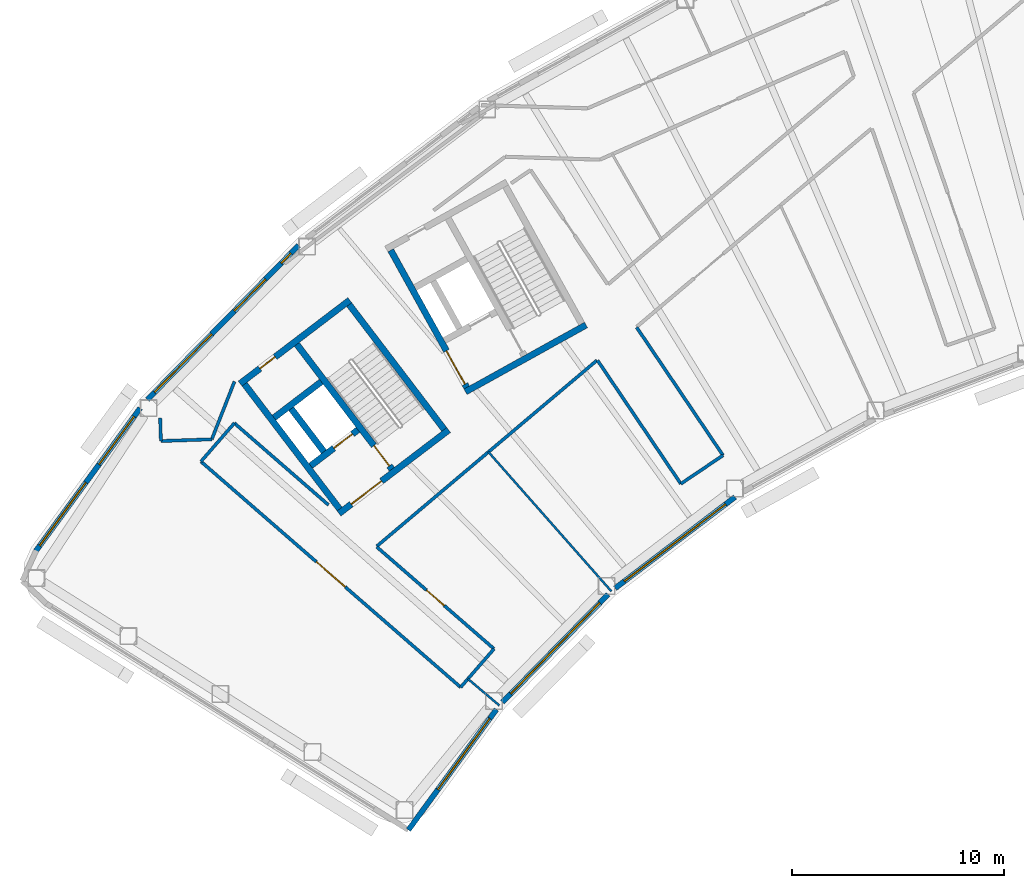
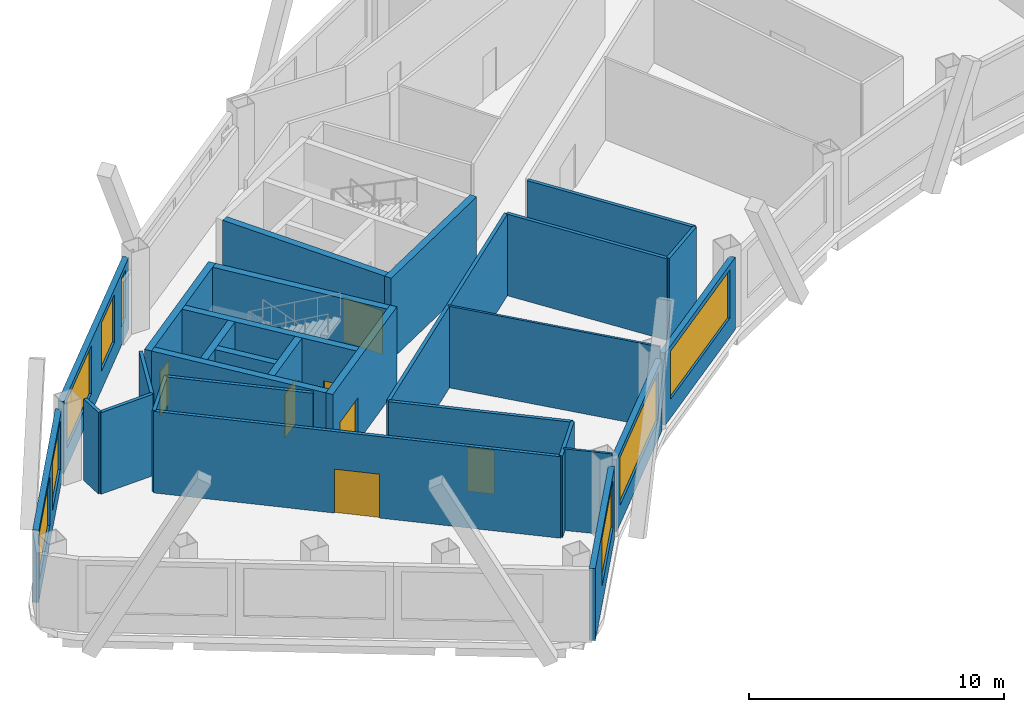
# One storey, part 5 of 14: 29 walls, 8 windows, 7 doors, 15 openings.
"""IFC4 building model written with IfcOpenShell, lengths in metres."""

from ifc_helpers import new_model, si_unit, direction, frame, frame_2d, origin, place, context, subcontext, project, spatial, rectangle, extrude, material, layer, layer_set, type_object, element, fill, save


model = new_model("IFC4")

# Units and contexts
model_context = context("Model", 3, precision=1e-05, world=origin(), true_north=direction((0.0, 1.0)))
body_context = subcontext(model_context, "Body", "Model", "MODEL_VIEW")
ifc_project = project(units=[si_unit("LENGTHUNIT", "METRE"), si_unit("AREAUNIT", "SQUARE_METRE"), si_unit("VOLUMEUNIT", "CUBIC_METRE"), si_unit("PLANEANGLEUNIT", "RADIAN"), si_unit("MASSUNIT", "GRAM", prefix="KILO")], contexts=[model_context])

# Site, building, storey
site_placement = place(None, origin())
site = spatial("IfcSite", under=ifc_project, at=site_placement, CompositionType="ELEMENT")
building_placement = place(site_placement, origin())
building = spatial("IfcBuilding", under=site, at=building_placement, Name="Tuul Gate Civic Tower", CompositionType="ELEMENT")
storey_placement = place(building_placement, frame((0.0, 0.0, 265.199951171875)))
storey = spatial("IfcBuildingStorey", under=building, at=storey_placement, Name="Level 60", CompositionType="ELEMENT", Elevation=265.199951171875)

# Wall, opening, door
ifc_material_1 = material(Name="Concrete C50/60", Category="concrete")
ifc_layer_1 = layer(ifc_material_1, 0.300048828125)
ifc_layer_set_1 = layer_set([ifc_layer_1], Name="Concrete C50/60")
wall_type_1 = type_object("IfcWallType", Name="Core wall C50/60", PredefinedType="SHEAR", material=ifc_layer_set_1)
wall_1_placement = place(storey_placement, frame((-31.19091796875, -13.669677734375, 0.0), z_axis=(0.0, 0.0, 1.0), x_axis=(-0.795606717756, -0.605813461934, 0.0)))
wall_1 = element("IfcWall", 1, at=wall_1_placement, inside=storey, type_object=wall_type_1, Name="Core wall", PredefinedType="SHEAR", context=body_context, shape_type="SweptSolid", body=[
    extrude(rectangle(XDim=6.5, YDim=0.300048828125, at=frame_2d((3.25, 0.0))), origin(), (0.0, 0.0, 1.0), 3.900146484375),
])
opening_1_placement = place(wall_1_placement, frame((3.97509765625, 0.0, 0.0)))
opening_1 = element("IfcOpeningElement", 2, at=opening_1_placement, cuts=wall_1, Name="Opening LB-W1-LOBBY-1", PredefinedType="OPENING", context=body_context, shape_type="SweptSolid", body=[
    extrude(rectangle(XDim=1.800048828125, YDim=2.10009765625, at=frame_2d((0.89990234375, 1.050048828125))), frame((0.0, 0.16015625, 0.0), z_axis=(0.0, -1.0, 0.0), x_axis=(1.0, 0.0, 0.0)), (0.0, 0.0, 1.0), 0.320068359375),
])
ifc_material_2 = material(Name="Steel", Category="steel")
door_type_1 = type_object("IfcDoorType", Name="Lobby door", OperationType="DOUBLE_DOOR_SINGLE_SWING", PredefinedType="DOOR", material=ifc_material_2)
door_1_placement = place(opening_1_placement, origin())
door_1 = element("IfcDoor", 3, at=door_1_placement, inside=storey, type_object=door_type_1, Name="Lobby door W1-LOBBY", OperationType="DOUBLE_DOOR_SINGLE_SWING", OverallHeight=2.10009765625, OverallWidth=1.800048828125, PredefinedType="DOOR", context=body_context, shape_type="SweptSolid", body=[
    extrude(rectangle(XDim=1.800048828125, YDim=2.10009765625, at=frame_2d((0.89990234375, 1.050048828125))), frame((0.0, 0.02490234375, 0.0), z_axis=(0.0, -1.0, 0.0), x_axis=(1.0, 0.0, 0.0)), (0.0, 0.0, 1.0), 0.050048828125),
])
fill(opening_1, door_1)

wall_2_placement = place(storey_placement, frame((-35.470947265625, -13.66064453125, 0.0), z_axis=(0.0, 0.0, 1.0), x_axis=(-0.795615822227, -0.605801504968, 0.0)))
wall_2 = element("IfcWall", 4, at=wall_2_placement, inside=storey, type_object=wall_type_1, Name="Core wall", PredefinedType="SHEAR", context=body_context, shape_type="SweptSolid", body=[
    extrude(rectangle(XDim=2.800048828125, YDim=0.300048828125, at=frame_2d((1.39990234375, 0.0))), origin(), (0.0, 0.0, 1.0), 3.900146484375),
])
opening_2_placement = place(wall_2_placement, frame((0.324951171875, 0.0, 0.0)))
opening_2 = element("IfcOpeningElement", 5, at=opening_2_placement, cuts=wall_2, Name="Opening LD-H1", PredefinedType="OPENING", context=body_context, shape_type="SweptSolid", body=[
    extrude(rectangle(XDim=1.10009765625, YDim=2.10009765625, at=frame_2d((0.550048828125, 1.050048828125))), frame((0.0, 0.16015625, 0.0), z_axis=(0.0, -1.0, 0.0), x_axis=(1.0, 0.0, 0.0)), (0.0, 0.0, 1.0), 0.320068359375),
])
ifc_material_3 = material(Name="Stainless steel", Category="steel")
door_type_2 = type_object("IfcDoorType", Name="Landing door", OperationType="DOUBLE_DOOR_SLIDING", PredefinedType="DOOR", material=ifc_material_3)
door_2_placement = place(opening_2_placement, origin())
door_2 = element("IfcDoor", 6, at=door_2_placement, inside=storey, type_object=door_type_2, Name="High-rise lift H1 landing door", OperationType="DOUBLE_DOOR_SLIDING", OverallHeight=2.10009765625, OverallWidth=1.10009765625, PredefinedType="DOOR", context=body_context, shape_type="SweptSolid", body=[
    extrude(rectangle(XDim=1.10009765625, YDim=2.10009765625, at=frame_2d((0.550048828125, 1.050048828125))), frame((0.0, 0.02490234375, 0.0), z_axis=(0.0, -1.0, 0.0), x_axis=(1.0, 0.0, 0.0)), (0.0, 0.0, 1.0), 0.050048828125),
])
fill(opening_2, door_2)

# Wall
wall_3_placement = place(storey_placement, frame((-37.197509765625, -11.39306640625, 0.0), z_axis=(0.0, 0.0, 1.0), x_axis=(-0.795583820278, -0.605843531707, 0.0)))
element("IfcWall", 7, at=wall_3_placement, inside=storey, type_object=wall_type_1, Name="Core wall", PredefinedType="SHEAR", context=body_context, shape_type="SweptSolid", body=[
    extrude(rectangle(XDim=2.7998046875, YDim=0.300048828125, at=frame_2d((1.39990234375, 0.0))), origin(), (0.0, 0.0, 1.0), 3.900146484375),
])

# Wall, opening, door
wall_4_placement = place(storey_placement, frame((-35.855224609375, -7.543212890625, 0.0), z_axis=(0.0, 0.0, 1.0), x_axis=(-0.79563860527, -0.605771582202, 0.0)))
wall_4 = element("IfcWall", 8, at=wall_4_placement, inside=storey, type_object=wall_type_1, Name="Core wall", PredefinedType="SHEAR", context=body_context, shape_type="SweptSolid", body=[
    extrude(rectangle(XDim=6.5, YDim=0.300048828125, at=frame_2d((3.25, 0.0))), origin(), (0.0, 0.0, 1.0), 3.900146484375),
])
opening_3_placement = place(wall_4_placement, frame((4.425048828125, 0.0, 0.0)))
opening_3 = element("IfcOpeningElement", 9, at=opening_3_placement, cuts=wall_4, Name="Opening V-D26", PredefinedType="OPENING", context=body_context, shape_type="SweptSolid", body=[
    extrude(rectangle(XDim=0.89990234375, YDim=2.10009765625, at=frame_2d((0.449951171875, 1.050048828125))), frame((0.0, 0.16015625, 0.0), z_axis=(0.0, -1.0, 0.0), x_axis=(1.0, 0.0, 0.0)), (0.0, 0.0, 1.0), 0.320068359375),
])
ifc_material_4 = material(Name="Timber door leaf", Category="wood")
door_type_3 = type_object("IfcDoorType", Name="Door D09", OperationType="NOTDEFINED", PredefinedType="DOOR", material=ifc_material_4)
door_3_placement = place(opening_3_placement, origin())
door_3 = element("IfcDoor", 10, at=door_3_placement, inside=storey, type_object=door_type_3, Name="Door V-D26", OperationType="SINGLE_SWING_LEFT", OverallHeight=2.10009765625, OverallWidth=0.89990234375, PredefinedType="DOOR", context=body_context, shape_type="SweptSolid", body=[
    extrude(rectangle(XDim=0.89990234375, YDim=2.10009765625, at=frame_2d((0.449951171875, 1.050048828125))), frame((0.0, 0.02490234375, 0.0), z_axis=(0.0, -1.0, 0.0), x_axis=(1.0, 0.0, 0.0)), (0.0, 0.0, 1.0), 0.050048828125),
])
fill(opening_3, door_3)

# Wall
wall_5_placement = place(storey_placement, frame((-31.401123046875, -13.64111328125, 0.0), z_axis=(0.0, 0.0, 1.0), x_axis=(-0.605769822278, 0.795639945213, 0.0)))
element("IfcWall", 11, at=wall_5_placement, inside=storey, type_object=wall_type_1, Name="Core wall", PredefinedType="SHEAR", context=body_context, shape_type="SweptSolid", body=[
    extrude(rectangle(XDim=7.39990234375, YDim=0.300048828125, at=frame_2d((3.699951171875, 0.0))), origin(), (0.0, 0.0, 1.0), 3.900146484375),
])

# Wall, opening, door
wall_6_placement = place(storey_placement, frame((-33.867431640625, -15.51904296875, 0.0), z_axis=(0.0, 0.0, 1.0), x_axis=(-0.605769822278, 0.795639945213, 0.0)))
wall_6 = element("IfcWall", 12, at=wall_6_placement, inside=storey, type_object=wall_type_1, Name="Core wall", PredefinedType="SHEAR", context=body_context, shape_type="SweptSolid", body=[
    extrude(rectangle(XDim=7.39990234375, YDim=0.300048828125, at=frame_2d((3.699951171875, 0.0))), origin(), (0.0, 0.0, 1.0), 3.900146484375),
])
opening_4_placement = place(wall_6_placement, frame((0.199951171875, 0.0, 0.0)))
opening_4 = element("IfcOpeningElement", 13, at=opening_4_placement, cuts=wall_6, Name="Opening SD-ST-1", PredefinedType="OPENING", context=body_context, shape_type="SweptSolid", body=[
    extrude(rectangle(XDim=1.199951171875, YDim=2.10009765625, at=frame_2d((0.60009765625, 1.050048828125))), frame((0.0, 0.16015625, 0.0), z_axis=(0.0, -1.0, 0.0), x_axis=(1.0, 0.0, 0.0)), (0.0, 0.0, 1.0), 0.320068359375),
])
ifc_material_5 = material(Name="Steel", Category="steel")
door_type_4 = type_object("IfcDoorType", Name="Stair door", OperationType="NOTDEFINED", PredefinedType="DOOR", material=ifc_material_5)
door_4_placement = place(opening_4_placement, origin())
door_4 = element("IfcDoor", 14, at=door_4_placement, inside=storey, type_object=door_type_4, Name="Stair door ST-1", OperationType="SINGLE_SWING_LEFT", OverallHeight=2.10009765625, OverallWidth=1.199951171875, PredefinedType="DOOR", context=body_context, shape_type="SweptSolid", body=[
    extrude(rectangle(XDim=1.199951171875, YDim=2.10009765625, at=frame_2d((0.60009765625, 1.050048828125))), frame((0.0, 0.02490234375, 0.0), z_axis=(0.0, -1.0, 0.0), x_axis=(1.0, 0.0, 0.0)), (0.0, 0.0, 1.0), 0.050048828125),
])
fill(opening_4, door_4)

# Walls
wall_7_placement = place(storey_placement, frame((-37.073486328125, -14.6923828125, 0.0), z_axis=(0.0, 0.0, 1.0), x_axis=(-0.605728760074, 0.79567120673, 0.0)))
element("IfcWall", 15, at=wall_7_placement, inside=storey, type_object=wall_type_1, Name="Core wall", PredefinedType="SHEAR", context=body_context, shape_type="SweptSolid", body=[
    extrude(rectangle(XDim=2.550048828125, YDim=0.300048828125, at=frame_2d((1.27490234375, 0.0))), origin(), (0.0, 0.0, 1.0), 3.900146484375),
])
wall_8_placement = place(storey_placement, frame((-36.333984375, -17.397216796875, 0.0), z_axis=(0.0, 0.0, 1.0), x_axis=(-0.605753921168, 0.795652051458, 0.0)))
element("IfcWall", 16, at=wall_8_placement, inside=storey, type_object=wall_type_1, Name="Core wall", PredefinedType="SHEAR", context=body_context, shape_type="SweptSolid", body=[
    extrude(rectangle(XDim=7.400146484375, YDim=0.300048828125, at=frame_2d((3.7001953125, 0.0))), origin(), (0.0, 0.0, 1.0), 3.900146484375),
])
wall_9_placement = place(storey_placement, frame((-24.711669921875, -8.7158203125, 0.0), z_axis=(0.0, 0.0, 1.0), x_axis=(-0.874629909008, -0.484791215132, 0.0)))
element("IfcWall", 17, at=wall_9_placement, inside=storey, type_object=wall_type_1, Name="Core wall", PredefinedType="SHEAR", context=body_context, shape_type="SweptSolid", body=[
    extrude(rectangle(XDim=6.5, YDim=0.300048828125, at=frame_2d((3.25, 0.0))), origin(), (0.0, 0.0, 1.0), 3.900146484375),
])

# Wall, opening, door
wall_10_placement = place(storey_placement, frame((-30.33837890625, -11.6630859375, 0.0), z_axis=(0.0, 0.0, 1.0), x_axis=(-0.484751894226, 0.874651702704, 0.0)))
wall_10 = element("IfcWall", 18, at=wall_10_placement, inside=storey, type_object=wall_type_1, Name="Core wall", PredefinedType="SHEAR", context=body_context, shape_type="SweptSolid", body=[
    extrude(rectangle(XDim=7.39990234375, YDim=0.300048828125, at=frame_2d((3.699951171875, 0.0))), origin(), (0.0, 0.0, 1.0), 3.900146484375),
])
opening_5_placement = place(wall_10_placement, frame((0.175048828125, 0.0, 0.0)))
opening_5 = element("IfcOpeningElement", 19, at=opening_5_placement, cuts=wall_10, Name="Opening LB-W2-FLOBBY-1", PredefinedType="OPENING", context=body_context, shape_type="SweptSolid", body=[
    extrude(rectangle(XDim=1.800048828125, YDim=2.10009765625, at=frame_2d((0.89990234375, 1.050048828125))), frame((0.0, 0.16015625, 0.0), z_axis=(0.0, -1.0, 0.0), x_axis=(1.0, 0.0, 0.0)), (0.0, 0.0, 1.0), 0.320068359375),
])
door_5_placement = place(opening_5_placement, origin())
door_5 = element("IfcDoor", 20, at=door_5_placement, inside=storey, type_object=door_type_1, Name="Lobby door W2-FLOBBY", OperationType="DOUBLE_DOOR_SINGLE_SWING", OverallHeight=2.10009765625, OverallWidth=1.800048828125, PredefinedType="DOOR", context=body_context, shape_type="SweptSolid", body=[
    extrude(rectangle(XDim=1.800048828125, YDim=2.10009765625, at=frame_2d((0.89990234375, 1.050048828125))), frame((0.0, 0.02490234375, 0.0), z_axis=(0.0, -1.0, 0.0), x_axis=(1.0, 0.0, 0.0)), (0.0, 0.0, 1.0), 0.050048828125),
])
fill(opening_5, door_5)

# Walls
ifc_material_6 = material(Name="Gypsum board partition")
ifc_layer_2 = layer(ifc_material_6, 0.14990234375)
ifc_layer_set_2 = layer_set([ifc_layer_2], Name="Gypsum board partition")
wall_type_2 = type_object("IfcWallType", Name="Corridor wall P150", PredefinedType="PARTITIONING", material=ifc_layer_set_2)
wall_11_placement = place(storey_placement, frame((-44.76220703125, -14.189453125, 0.0), z_axis=(0.0, 0.0, 1.0), x_axis=(0.999429560853, 0.033772072692, 0.0)))
element("IfcWall", 21, at=wall_11_placement, inside=storey, type_object=wall_type_2, Name="p039", PredefinedType="PARTITIONING", context=body_context, shape_type="SweptSolid", body=[
    extrude(rectangle(XDim=2.400146484375, YDim=0.14990234375, at=frame_2d((1.2001953125, 0.0))), origin(), (0.0, 0.0, 1.0), 3.900146484375),
])
wall_12_placement = place(storey_placement, frame((-42.363525390625, -14.1083984375, 0.0), z_axis=(0.0, 0.0, 1.0), x_axis=(0.365551849377, 0.930790978371, 0.0)))
element("IfcWall", 22, at=wall_12_placement, inside=storey, type_object=wall_type_2, Name="p040", PredefinedType="PARTITIONING", context=body_context, shape_type="SweptSolid", body=[
    extrude(rectangle(XDim=2.9306640625, YDim=0.14990234375, at=frame_2d((1.46533203125, 0.0))), origin(), (0.0, 0.0, 1.0), 3.900146484375),
])
wall_13_placement = place(storey_placement, frame((-41.29931640625, -13.344482421875, 0.0), z_axis=(0.0, 0.0, 1.0), x_axis=(0.754705532199, -0.65606368568, 0.0)))
element("IfcWall", 23, at=wall_13_placement, inside=storey, type_object=wall_type_2, Name="p041", PredefinedType="PARTITIONING", context=body_context, shape_type="SweptSolid", body=[
    extrude(rectangle(XDim=5.885498046875, YDim=0.14990234375, at=frame_2d((2.94287109375, 0.0))), origin(), (0.0, 0.0, 1.0), 3.900146484375),
])

# Wall, opening, door
wall_14_placement = place(storey_placement, frame((-34.58203125, -19.183837890625, 0.0), z_axis=(0.0, 0.0, 1.0), x_axis=(0.7547087962, -0.656059930904, 0.0)))
wall_14 = element("IfcWall", 24, at=wall_14_placement, inside=storey, type_object=wall_type_2, Name="p042", PredefinedType="PARTITIONING", context=body_context, shape_type="SweptSolid", body=[
    extrude(rectangle(XDim=7.328125, YDim=0.14990234375, at=frame_2d((3.6640625, 0.0))), origin(), (0.0, 0.0, 1.0), 3.900146484375),
])
opening_6_placement = place(wall_14_placement, frame((3.114013671875, 0.0, 0.0)))
opening_6 = element("IfcOpeningElement", 25, at=opening_6_placement, cuts=wall_14, Name="Opening V-D15", PredefinedType="OPENING", context=body_context, shape_type="SweptSolid", body=[
    extrude(rectangle(XDim=1.10009765625, YDim=2.10009765625, at=frame_2d((0.550048828125, 1.050048828125))), frame((0.0, 0.0849609375, 0.0), z_axis=(0.0, -1.0, 0.0), x_axis=(1.0, 0.0, 0.0)), (0.0, 0.0, 1.0), 0.169921875),
])
ifc_material_7 = material(Name="Timber door leaf", Category="wood")
door_type_5 = type_object("IfcDoorType", Name="Door D11", OperationType="NOTDEFINED", PredefinedType="DOOR", material=ifc_material_7)
door_6_placement = place(opening_6_placement, origin())
door_6 = element("IfcDoor", 26, at=door_6_placement, inside=storey, type_object=door_type_5, Name="Door V-D15", OperationType="SINGLE_SWING_RIGHT", OverallHeight=2.10009765625, OverallWidth=1.10009765625, PredefinedType="DOOR", context=body_context, shape_type="SweptSolid", body=[
    extrude(rectangle(XDim=1.10009765625, YDim=2.10009765625, at=frame_2d((0.550048828125, 1.050048828125))), frame((0.0, 0.02490234375, 0.0), z_axis=(0.0, -1.0, 0.0), x_axis=(1.0, 0.0, 0.0)), (0.0, 0.0, 1.0), 0.050048828125),
])
fill(opening_6, door_6)

# Wall
wall_15_placement = place(storey_placement, frame((-42.873779296875, -15.15576171875, 0.0), z_axis=(0.0, 0.0, 1.0), x_axis=(0.656045220604, 0.754721583448, 0.0)))
element("IfcWall", 27, at=wall_15_placement, inside=storey, type_object=wall_type_2, Name="p043", PredefinedType="PARTITIONING", context=body_context, shape_type="SweptSolid", body=[
    extrude(rectangle(XDim=2.39990234375, YDim=0.14990234375, at=frame_2d((1.199951171875, 0.0))), origin(), (0.0, 0.0, 1.0), 3.900146484375),
])

# Wall, opening, door
wall_16_placement = place(storey_placement, frame((-42.873779296875, -15.15576171875, 0.0), z_axis=(0.0, 0.0, 1.0), x_axis=(0.754711415152, -0.65605691814, 0.0)))
wall_16 = element("IfcWall", 28, at=wall_16_placement, inside=storey, type_object=wall_type_2, Name="p044", PredefinedType="PARTITIONING", context=body_context, shape_type="SweptSolid", body=[
    extrude(rectangle(XDim=16.22900390625, YDim=0.14990234375, at=frame_2d((8.114501953125, 0.0))), origin(), (0.0, 0.0, 1.0), 3.900146484375),
])
opening_7_placement = place(wall_16_placement, frame((7.214599609375, 0.0, 0.0)))
opening_7 = element("IfcOpeningElement", 29, at=opening_7_placement, cuts=wall_16, Name="Opening V-D07", PredefinedType="OPENING", context=body_context, shape_type="SweptSolid", body=[
    extrude(rectangle(XDim=1.800048828125, YDim=2.10009765625, at=frame_2d((0.89990234375, 1.050048828125))), frame((0.0, 0.0849609375, 0.0), z_axis=(0.0, -1.0, 0.0), x_axis=(1.0, 0.0, 0.0)), (0.0, 0.0, 1.0), 0.169921875),
])
ifc_material_8 = material(Name="Timber door leaf, double", Category="wood")
door_type_6 = type_object("IfcDoorType", Name="Door D18", OperationType="DOUBLE_DOOR_SINGLE_SWING", PredefinedType="DOOR", material=ifc_material_8)
door_7_placement = place(opening_7_placement, frame((1.800048828125, 0.0, 0.0), z_axis=(0.0, 0.0, 1.0), x_axis=(-1.0, 0.0, 0.0)))
door_7 = element("IfcDoor", 30, at=door_7_placement, inside=storey, type_object=door_type_6, Name="Door V-D07", OperationType="DOUBLE_DOOR_SINGLE_SWING", OverallHeight=2.10009765625, OverallWidth=1.800048828125, PredefinedType="DOOR", context=body_context, shape_type="SweptSolid", body=[
    extrude(rectangle(XDim=1.800048828125, YDim=2.10009765625, at=frame_2d((0.900146484375, 1.050048828125))), frame((0.0, 0.02490234375, 0.0), z_axis=(0.0, -1.0, 0.0), x_axis=(1.0, 0.0, 0.0)), (0.0, 0.0, 1.0), 0.050048828125),
])
fill(opening_7, door_7)

# Walls
wall_17_placement = place(storey_placement, frame((-30.62548828125, -25.802978515625, 0.0), z_axis=(0.0, 0.0, 1.0), x_axis=(0.655979683466, 0.754778546913, 0.0)))
element("IfcWall", 31, at=wall_17_placement, inside=storey, type_object=wall_type_2, Name="p045", PredefinedType="PARTITIONING", context=body_context, shape_type="SweptSolid", body=[
    extrude(rectangle(XDim=2.3994140625, YDim=0.14990234375, at=frame_2d((1.19970703125, 0.0))), origin(), (0.0, 0.0, 1.0), 3.900146484375),
])
wall_18_placement = place(storey_placement, frame((-44.799072265625, -13.10107421875, 0.0), z_axis=(0.0, 0.0, 1.0), x_axis=(0.033852277693, -0.999426847396, 0.0)))
element("IfcWall", 32, at=wall_18_placement, inside=storey, type_object=wall_type_2, Name="p046", PredefinedType="PARTITIONING", context=body_context, shape_type="SweptSolid", body=[
    extrude(rectangle(XDim=1.089111328125, YDim=0.14990234375, at=frame_2d((0.54443359375, 0.0))), origin(), (0.0, 0.0, 1.0), 3.900146484375),
])
wall_19_placement = place(storey_placement, frame((-34.581787109375, -19.1533203125, 0.0), z_axis=(0.0, 0.0, 1.0), x_axis=(0.764037195411, 0.645172197192, 0.0)))
element("IfcWall", 33, at=wall_19_placement, inside=storey, type_object=wall_type_2, Name="p069", PredefinedType="PARTITIONING", context=body_context, shape_type="SweptSolid", body=[
    extrude(rectangle(XDim=13.593017578125, YDim=0.14990234375, at=frame_2d((6.79638671875, 0.0))), origin(), (0.0, 0.0, 1.0), 3.900146484375),
])
wall_20_placement = place(storey_placement, frame((-24.166748046875, -10.3876953125, 0.0), z_axis=(0.0, 0.0, 1.0), x_axis=(0.559210603637, -0.829025633367, 0.0)))
element("IfcWall", 34, at=wall_20_placement, inside=storey, type_object=wall_type_2, Name="p078", PredefinedType="PARTITIONING", context=body_context, shape_type="SweptSolid", body=[
    extrude(rectangle(XDim=7.019775390625, YDim=0.14990234375, at=frame_2d((3.509765625, 0.0))), origin(), (0.0, 0.0, 1.0), 3.900146484375),
])
wall_21_placement = place(storey_placement, frame((-20.24072265625, -16.20751953125, 0.0), z_axis=(0.0, 0.0, 1.0), x_axis=(0.829047992884, 0.559177454388, 0.0)))
element("IfcWall", 35, at=wall_21_placement, inside=storey, type_object=wall_type_2, Name="p079", PredefinedType="PARTITIONING", context=body_context, shape_type="SweptSolid", body=[
    extrude(rectangle(XDim=2.399169921875, YDim=0.14990234375, at=frame_2d((1.19970703125, 0.0))), origin(), (0.0, 0.0, 1.0), 3.900146484375),
])
wall_22_placement = place(storey_placement, frame((-22.32470703125, -8.826416015625, 0.0), z_axis=(0.0, 0.0, 1.0), x_axis=(0.559170600048, -0.829052615967, 0.0)))
element("IfcWall", 36, at=wall_22_placement, inside=storey, type_object=wall_type_2, Name="p081", PredefinedType="PARTITIONING", context=body_context, shape_type="SweptSolid", body=[
    extrude(rectangle(XDim=7.283935546875, YDim=0.14990234375, at=frame_2d((3.64208984375, 0.0))), origin(), (0.0, 0.0, 1.0), 3.900146484375),
])

# Wall, openings, windows
ifc_material_9 = material(Name="Precast concrete C40/50", Category="concrete")
ifc_layer_3 = layer(ifc_material_9, 0.25)
ifc_layer_set_3 = layer_set([ifc_layer_3], Name="Precast concrete C40/50")
wall_type_3 = type_object("IfcWallType", Name="External wall", PredefinedType="STANDARD", material=ifc_layer_set_3)
wall_23_placement = place(storey_placement, frame((-38.26708984375, -4.960693359375, 0.0), z_axis=(0.0, 0.0, 1.0), x_axis=(-0.699995514974, -0.714147239031, 0.0)))
wall_23 = element("IfcWall", 37, at=wall_23_placement, inside=storey, type_object=wall_type_3, Name="External wall", PredefinedType="STANDARD", context=body_context, shape_type="SweptSolid", body=[
    extrude(rectangle(XDim=10.19580078125, YDim=0.25, at=frame_2d((5.097900390625, 0.0))), origin(), (0.0, 0.0, 1.0), 3.449951171875),
])
opening_8_placement = place(wall_23_placement, frame((5.85888671875, 0.0, 0.89990234375)))
opening_8 = element("IfcOpeningElement", 38, at=opening_8_placement, cuts=wall_23, Name="Opening W22", PredefinedType="OPENING", context=body_context, shape_type="SweptSolid", body=[
    extrude(rectangle(XDim=3.85009765625, YDim=2.300048828125, at=frame_2d((1.925048828125, 1.14990234375))), frame((0.0, 0.135009765625, 0.0), z_axis=(0.0, -1.0, 0.0), x_axis=(1.0, 0.0, 0.0)), (0.0, 0.0, 1.0), 0.27001953125),
])
opening_9_placement = place(wall_23_placement, frame((0.51904296875, 0.0, 0.89990234375)))
opening_9 = element("IfcOpeningElement", 39, at=opening_9_placement, cuts=wall_23, Name="Opening W31", PredefinedType="OPENING", context=body_context, shape_type="SweptSolid", body=[
    extrude(rectangle(XDim=0.64990234375, YDim=2.300048828125, at=frame_2d((0.324951171875, 1.14990234375))), frame((0.0, 0.135009765625, 0.0), z_axis=(0.0, -1.0, 0.0), x_axis=(1.0, 0.0, 0.0)), (0.0, 0.0, 1.0), 0.27001953125),
])
opening_10_placement = place(wall_23_placement, frame((2.229736328125, 0.0, 0.89990234375)))
opening_10 = element("IfcOpeningElement", 40, at=opening_10_placement, cuts=wall_23, Name="Opening W40", PredefinedType="OPENING", context=body_context, shape_type="SweptSolid", body=[
    extrude(rectangle(XDim=2.10009765625, YDim=2.300048828125, at=frame_2d((1.050048828125, 1.14990234375))), frame((0.0, 0.135009765625, 0.0), z_axis=(0.0, -1.0, 0.0), x_axis=(1.0, 0.0, 0.0)), (0.0, 0.0, 1.0), 0.27001953125),
])
ifc_material_10 = material(Name="Glass", Category="glass")
window_type_1 = type_object("IfcWindowType", Name="Window 2100 x 2300", PartitioningType="SINGLE_PANEL", PredefinedType="WINDOW", material=ifc_material_10)
window_1_placement = place(opening_10_placement, origin())
window_1 = element("IfcWindow", 41, at=window_1_placement, inside=storey, type_object=window_type_1, Name="Window", OverallHeight=2.300048828125, OverallWidth=2.10009765625, PartitioningType="SINGLE_PANEL", PredefinedType="WINDOW", context=body_context, shape_type="SweptSolid", body=[
    extrude(rectangle(XDim=2.10009765625, YDim=2.300048828125, at=frame_2d((1.050048828125, 1.14990234375))), frame((0.0, 0.030029296875, 0.0), z_axis=(0.0, -1.0, 0.0), x_axis=(1.0, 0.0, 0.0)), (0.0, 0.0, 1.0), 0.06005859375),
])
fill(opening_10, window_1)
ifc_material_11 = material(Name="Glass", Category="glass")
window_type_2 = type_object("IfcWindowType", Name="Window 650 x 2300", PartitioningType="SINGLE_PANEL", PredefinedType="WINDOW", material=ifc_material_11)
window_2_placement = place(opening_9_placement, origin())
window_2 = element("IfcWindow", 42, at=window_2_placement, inside=storey, type_object=window_type_2, Name="Window", OverallHeight=2.300048828125, OverallWidth=0.64990234375, PartitioningType="SINGLE_PANEL", PredefinedType="WINDOW", context=body_context, shape_type="SweptSolid", body=[
    extrude(rectangle(XDim=0.64990234375, YDim=2.300048828125, at=frame_2d((0.324951171875, 1.14990234375))), frame((0.0, 0.030029296875, 0.0), z_axis=(0.0, -1.0, 0.0), x_axis=(1.0, 0.0, 0.0)), (0.0, 0.0, 1.0), 0.06005859375),
])
fill(opening_9, window_2)
ifc_material_12 = material(Name="Glass", Category="glass")
window_type_3 = type_object("IfcWindowType", Name="Window W22 3850 x 2300", PartitioningType="SINGLE_PANEL", PredefinedType="WINDOW", material=ifc_material_12)
window_3_placement = place(opening_8_placement, origin())
window_3 = element("IfcWindow", 43, at=window_3_placement, inside=storey, type_object=window_type_3, Name="Window", OverallHeight=2.300048828125, OverallWidth=3.85009765625, PartitioningType="SINGLE_PANEL", PredefinedType="WINDOW", context=body_context, shape_type="SweptSolid", body=[
    extrude(rectangle(XDim=3.85009765625, YDim=2.300048828125, at=frame_2d((1.925048828125, 1.14990234375))), frame((0.0, 0.030029296875, 0.0), z_axis=(0.0, -1.0, 0.0), x_axis=(1.0, 0.0, 0.0)), (0.0, 0.0, 1.0), 0.06005859375),
])
fill(opening_8, window_3)

wall_24_placement = place(storey_placement, frame((-45.740966796875, -12.638671875, 0.0), z_axis=(0.0, 0.0, 1.0), x_axis=(-0.589821256366, -0.807533829346, 0.0)))
wall_24 = element("IfcWall", 44, at=wall_24_placement, inside=storey, type_object=wall_type_3, Name="External wall", PredefinedType="STANDARD", context=body_context, shape_type="SweptSolid", body=[
    extrude(rectangle(XDim=8.33642578125, YDim=0.25, at=frame_2d((4.168212890625, 0.0))), origin(), (0.0, 0.0, 1.0), 3.449951171875),
])
opening_11_placement = place(wall_24_placement, frame((0.484619140625, 0.0, 0.89990234375)))
opening_11 = element("IfcOpeningElement", 45, at=opening_11_placement, cuts=wall_24, Name="Opening W23", PredefinedType="OPENING", context=body_context, shape_type="SweptSolid", body=[
    extrude(rectangle(XDim=2.800048828125, YDim=2.300048828125, at=frame_2d((1.39990234375, 1.14990234375))), frame((0.0, 0.135009765625, 0.0), z_axis=(0.0, -1.0, 0.0), x_axis=(1.0, 0.0, 0.0)), (0.0, 0.0, 1.0), 0.27001953125),
])
opening_12_placement = place(wall_24_placement, frame((4.3359375, 0.0, 0.89990234375)))
opening_12 = element("IfcOpeningElement", 46, at=opening_12_placement, cuts=wall_24, Name="Opening W21", PredefinedType="OPENING", context=body_context, shape_type="SweptSolid", body=[
    extrude(rectangle(XDim=3.699951171875, YDim=2.300048828125, at=frame_2d((1.85009765625, 1.14990234375))), frame((0.0, 0.135009765625, 0.0), z_axis=(0.0, -1.0, 0.0), x_axis=(1.0, 0.0, 0.0)), (0.0, 0.0, 1.0), 0.27001953125),
])
ifc_material_13 = material(Name="Glass", Category="glass")
window_type_4 = type_object("IfcWindowType", Name="Window W21 3700 x 2300", PartitioningType="SINGLE_PANEL", PredefinedType="WINDOW", material=ifc_material_13)
window_4_placement = place(opening_12_placement, origin())
window_4 = element("IfcWindow", 47, at=window_4_placement, inside=storey, type_object=window_type_4, Name="Window", OverallHeight=2.300048828125, OverallWidth=3.699951171875, PartitioningType="SINGLE_PANEL", PredefinedType="WINDOW", context=body_context, shape_type="SweptSolid", body=[
    extrude(rectangle(XDim=3.699951171875, YDim=2.300048828125, at=frame_2d((1.85009765625, 1.14990234375))), frame((0.0, 0.030029296875, 0.0), z_axis=(0.0, -1.0, 0.0), x_axis=(1.0, 0.0, 0.0)), (0.0, 0.0, 1.0), 0.06005859375),
])
fill(opening_12, window_4)
ifc_material_14 = material(Name="Glass", Category="glass")
window_type_5 = type_object("IfcWindowType", Name="Window W23 2800 x 2300", PartitioningType="SINGLE_PANEL", PredefinedType="WINDOW", material=ifc_material_14)
window_5_placement = place(opening_11_placement, origin())
window_5 = element("IfcWindow", 48, at=window_5_placement, inside=storey, type_object=window_type_5, Name="Window", OverallHeight=2.300048828125, OverallWidth=2.800048828125, PartitioningType="SINGLE_PANEL", PredefinedType="WINDOW", context=body_context, shape_type="SweptSolid", body=[
    extrude(rectangle(XDim=2.800048828125, YDim=2.300048828125, at=frame_2d((1.39990234375, 1.14990234375))), frame((0.0, 0.030029296875, 0.0), z_axis=(0.0, -1.0, 0.0), x_axis=(1.0, 0.0, 0.0)), (0.0, 0.0, 1.0), 0.06005859375),
])
fill(opening_11, window_5)

# Wall, opening, window
wall_25_placement = place(storey_placement, frame((-33.088623046875, -32.53173828125, 0.0), z_axis=(0.0, 0.0, 1.0), x_axis=(0.589734649771, 0.807597079526, 0.0)))
wall_25 = element("IfcWall", 49, at=wall_25_placement, inside=storey, type_object=wall_type_3, Name="External wall", PredefinedType="STANDARD", context=body_context, shape_type="SweptSolid", body=[
    extrude(rectangle(XDim=7.03515625, YDim=0.25, at=frame_2d((3.517578125, 0.0))), origin(), (0.0, 0.0, 1.0), 3.449951171875),
])
opening_13_placement = place(wall_25_placement, frame((2.357666015625, 0.0, 0.89990234375)))
opening_13 = element("IfcOpeningElement", 50, at=opening_13_placement, cuts=wall_25, Name="Opening W25", PredefinedType="OPENING", context=body_context, shape_type="SweptSolid", body=[
    extrude(rectangle(XDim=4.14990234375, YDim=2.300048828125, at=frame_2d((2.074951171875, 1.14990234375))), frame((0.0, 0.135009765625, 0.0), z_axis=(0.0, -1.0, 0.0), x_axis=(1.0, 0.0, 0.0)), (0.0, 0.0, 1.0), 0.27001953125),
])
ifc_material_15 = material(Name="Glass", Category="glass")
window_type_6 = type_object("IfcWindowType", Name="Window W25 4150 x 2300", PartitioningType="SINGLE_PANEL", PredefinedType="WINDOW", material=ifc_material_15)
window_6_placement = place(opening_13_placement, origin())
window_6 = element("IfcWindow", 51, at=window_6_placement, inside=storey, type_object=window_type_6, Name="Window", OverallHeight=2.300048828125, OverallWidth=4.14990234375, PartitioningType="SINGLE_PANEL", PredefinedType="WINDOW", context=body_context, shape_type="SweptSolid", body=[
    extrude(rectangle(XDim=4.14990234375, YDim=2.300048828125, at=frame_2d((2.074951171875, 1.14990234375))), frame((0.0, 0.030029296875, 0.0), z_axis=(0.0, -1.0, 0.0), x_axis=(1.0, 0.0, 0.0)), (0.0, 0.0, 1.0), 0.06005859375),
])
fill(opening_13, window_6)

wall_26_placement = place(storey_placement, frame((-28.64990234375, -26.50634765625, 0.0), z_axis=(0.0, 0.0, 1.0), x_axis=(0.700015105418, 0.714128036269, 0.0)))
wall_26 = element("IfcWall", 52, at=wall_26_placement, inside=storey, type_object=wall_type_3, Name="External wall", PredefinedType="STANDARD", context=body_context, shape_type="SweptSolid", body=[
    extrude(rectangle(XDim=7.10986328125, YDim=0.25, at=frame_2d((3.554931640625, 0.0))), origin(), (0.0, 0.0, 1.0), 3.449951171875),
])
opening_14_placement = place(wall_26_placement, frame((0.555908203125, 0.0, 0.89990234375)))
opening_14 = element("IfcOpeningElement", 53, at=opening_14_placement, cuts=wall_26, Name="Opening W26", PredefinedType="OPENING", context=body_context, shape_type="SweptSolid", body=[
    extrude(rectangle(XDim=6.0, YDim=2.300048828125, at=frame_2d((3.0, 1.14990234375))), frame((0.0, 0.135009765625, 0.0), z_axis=(0.0, -1.0, 0.0), x_axis=(1.0, 0.0, 0.0)), (0.0, 0.0, 1.0), 0.27001953125),
])
ifc_material_16 = material(Name="Glass", Category="glass")
window_type_7 = type_object("IfcWindowType", Name="Window W26 6000 x 2300", PartitioningType="SINGLE_PANEL", PredefinedType="WINDOW", material=ifc_material_16)
window_7_placement = place(opening_14_placement, origin())
window_7 = element("IfcWindow", 54, at=window_7_placement, inside=storey, type_object=window_type_7, Name="Window", OverallHeight=2.300048828125, OverallWidth=6.0, PartitioningType="SINGLE_PANEL", PredefinedType="WINDOW", context=body_context, shape_type="SweptSolid", body=[
    extrude(rectangle(XDim=6.0, YDim=2.300048828125, at=frame_2d((3.0, 1.14990234375))), frame((0.0, 0.030029296875, 0.0), z_axis=(0.0, -1.0, 0.0), x_axis=(1.0, 0.0, 0.0)), (0.0, 0.0, 1.0), 0.06005859375),
])
fill(opening_14, window_7)

wall_27_placement = place(storey_placement, frame((-23.3359375, -21.133056640625, 0.0), z_axis=(0.0, 0.0, 1.0), x_axis=(0.795636022241, 0.605774974815, 0.0)))
wall_27 = element("IfcWall", 55, at=wall_27_placement, inside=storey, type_object=wall_type_3, Name="External wall", PredefinedType="STANDARD", context=body_context, shape_type="SweptSolid", body=[
    extrude(rectangle(XDim=7.103271484375, YDim=0.25, at=frame_2d((3.5517578125, 0.0))), origin(), (0.0, 0.0, 1.0), 3.449951171875),
])
opening_15_placement = place(wall_27_placement, frame((0.540771484375, 0.0, 0.89990234375)))
opening_15 = element("IfcOpeningElement", 56, at=opening_15_placement, cuts=wall_27, Name="Opening W26", PredefinedType="OPENING", context=body_context, shape_type="SweptSolid", body=[
    extrude(rectangle(XDim=6.0, YDim=2.300048828125, at=frame_2d((3.0, 1.14990234375))), frame((0.0, 0.135009765625, 0.0), z_axis=(0.0, -1.0, 0.0), x_axis=(1.0, 0.0, 0.0)), (0.0, 0.0, 1.0), 0.27001953125),
])
window_8_placement = place(opening_15_placement, origin())
window_8 = element("IfcWindow", 57, at=window_8_placement, inside=storey, type_object=window_type_7, Name="Window", OverallHeight=2.300048828125, OverallWidth=6.0, PartitioningType="SINGLE_PANEL", PredefinedType="WINDOW", context=body_context, shape_type="SweptSolid", body=[
    extrude(rectangle(XDim=6.0, YDim=2.300048828125, at=frame_2d((3.0, 1.14990234375))), frame((0.0, 0.030029296875, 0.0), z_axis=(0.0, -1.0, 0.0), x_axis=(1.0, 0.0, 0.0)), (0.0, 0.0, 1.0), 0.06005859375),
])
fill(opening_15, window_8)

# Walls
ifc_material_17 = material(Name="Gypsum board partition")
ifc_layer_4 = layer(ifc_material_17, 0.10009765625)
ifc_layer_set_4 = layer_set([ifc_layer_4], Name="Gypsum board partition")
wall_type_4 = type_object("IfcWallType", Name="Partition P100", PredefinedType="PARTITIONING", material=ifc_layer_set_4)
wall_28_placement = place(storey_placement, frame((-30.28125, -25.40673828125, 0.0), z_axis=(0.0, 0.0, 1.0), x_axis=(0.762781194193, -0.646656670719, 0.0)))
element("IfcWall", 58, at=wall_28_placement, inside=storey, type_object=wall_type_4, Name="p038", PredefinedType="PARTITIONING", context=body_context, shape_type="SweptSolid", body=[
    extrude(rectangle(XDim=1.94482421875, YDim=0.10009765625, at=frame_2d((0.972412109375, 0.0))), origin(), (0.0, 0.0, 1.0), 3.900146484375),
])
wall_29_placement = place(storey_placement, frame((-29.3154296875, -14.706298828125, 0.0), z_axis=(0.0, 0.0, 1.0), x_axis=(0.661674155248, -0.74979151254, 0.0)))
element("IfcWall", 59, at=wall_29_placement, inside=storey, type_object=wall_type_4, Name="p077", PredefinedType="PARTITIONING", context=body_context, shape_type="SweptSolid", body=[
    extrude(rectangle(XDim=8.763427734375, YDim=0.10009765625, at=frame_2d((4.3818359375, 0.0))), origin(), (0.0, 0.0, 1.0), 3.900146484375),
])

save(model, "model.ifc")
